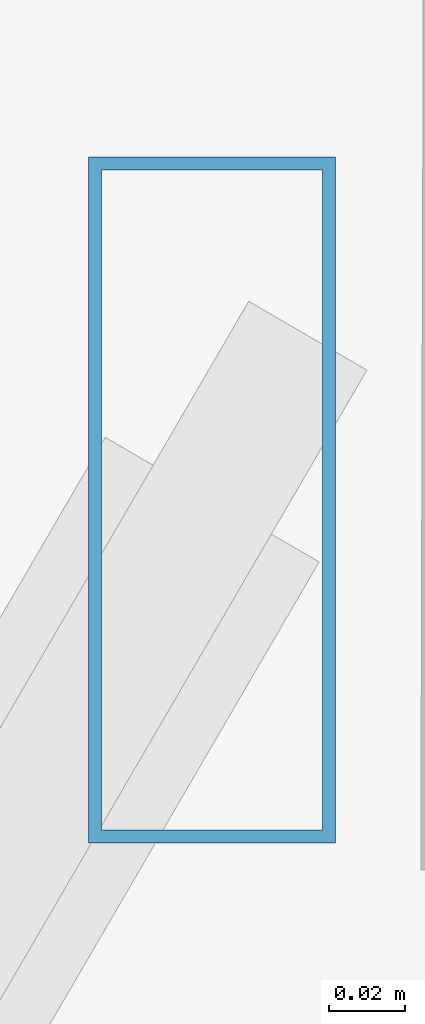
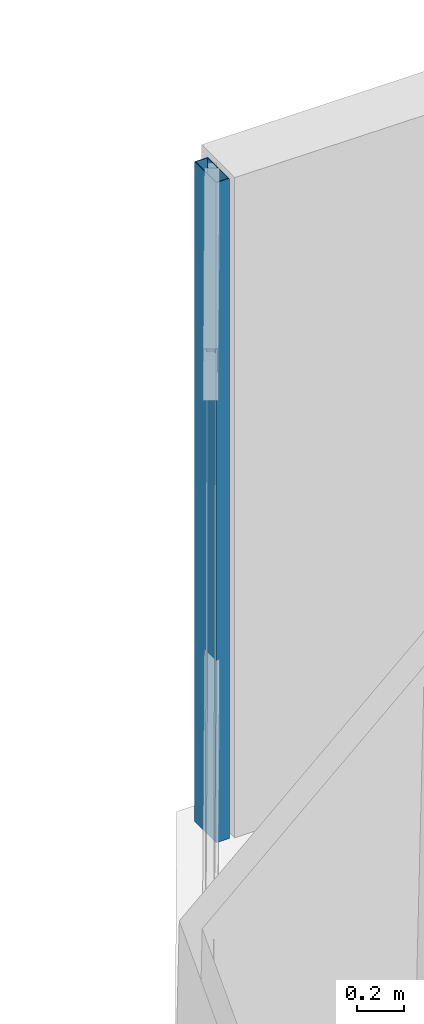
# One storey, part 28 of 37: 1 member, 1 element without a shape of its own.
"""IFC4 building model written with IfcOpenShell, lengths in metres."""

from ifc_helpers import new_model, si_unit, direction, frame, origin, origin_2d, place, context, subcontext, project, spatial, hollow_rectangle, extrude, source, transform, mapped, material, material_profile, profile_set, type_object, type_shapes, element, aggregate, save


model = new_model("IFC4")

# Units and contexts
model_context = context("Model", 3, precision=1e-05, world=origin(), true_north=direction((0.0, 1.0)))
body_context = subcontext(model_context, "Body", "Model", "MODEL_VIEW")
ifc_project = project(units=[si_unit("LENGTHUNIT", "METRE"), si_unit("AREAUNIT", "SQUARE_METRE"), si_unit("VOLUMEUNIT", "CUBIC_METRE"), si_unit("PLANEANGLEUNIT", "RADIAN"), si_unit("MASSUNIT", "GRAM", prefix="KILO")], contexts=[model_context])

# Site, building, storey
site_placement = place(None, origin())
site = spatial("IfcSite", under=ifc_project, at=site_placement, CompositionType="ELEMENT")
building_placement = place(site_placement, origin())
building = spatial("IfcBuilding", under=site, at=building_placement, Name="Caelisora Broadcast Tower", CompositionType="ELEMENT")
storey_placement = place(building_placement, frame((0.0, 0.0, 45.85009765625)))
storey = spatial("IfcBuildingStorey", under=building, at=storey_placement, Name="L11", CompositionType="ELEMENT", Elevation=45.85009765625)

# Curtain wall, member
ifc_material_1 = material(Name="Unitised Aluminium and Low-E Glass Curtain Wall", Category="glass")
curtain_wall_type = type_object("IfcCurtainWallType", Name="CW-Z1", PredefinedType="NOTDEFINED", material=ifc_material_1)
curtain_wall_placement = place(storey_placement, origin())
curtain_wall = element("IfcCurtainWall", 1, at=curtain_wall_placement, inside=storey, type_object=curtain_wall_type, Name="L11 curtain wall CW-Z1", PredefinedType="NOTDEFINED")
ifc_material_2 = material(Name="Aluminium 6063-T6 Anodised Terracotta Bronze", Category="aluminium")
ifc_material_profile = material_profile(ifc_material_2, hollow_rectangle(XDim=0.06494140625, YDim=0.179931640625, WallThickness=0.00341796875, at=origin_2d()), Name="Aluminium 6063-T6 Anodised Terracotta Bronze")
ifc_profile_set = profile_set([ifc_material_profile], Name="Aluminium 6063-T6 Anodised Terracotta Bronze")
member_type = type_object("IfcMemberType", Name="CWM-02", PredefinedType="MULLION", material=ifc_profile_set)
shared_shape = source(origin(), body_context, "Body", "SweptSolid", [
    extrude(hollow_rectangle(XDim=0.06494140625, YDim=0.179931640625, WallThickness=0.00341796875, at=origin_2d()), origin(), (0.0, 0.0, 1.0), 3.39990234375),
])
type_shapes(member_type, [shared_shape])
member_placement = place(storey_placement, frame((29.96484375, 49.163818359375, 0.0), z_axis=(0.0, 0.0, 1.0), x_axis=(1.0, 0.0, 0.0)))
member = element("IfcMember", 2, at=member_placement, type_object=member_type, Name="L11-CW-B11 mullion #3", PredefinedType="MULLION", context=body_context, shape_type="MappedRepresentation", body=[
    mapped(shared_shape, transform((0.0, 0.0, 0.0), scale=1.0)),
])
aggregate(curtain_wall, [member])

save(model, "model.ifc")
